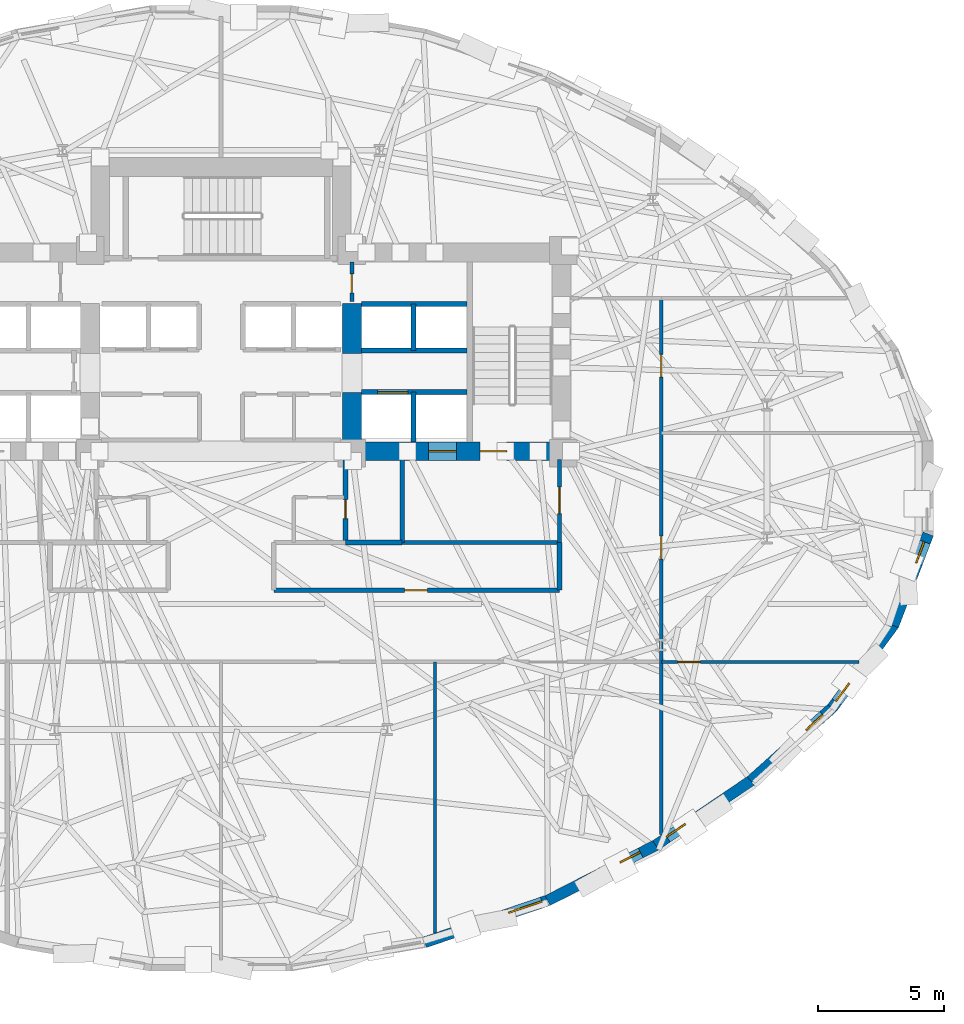
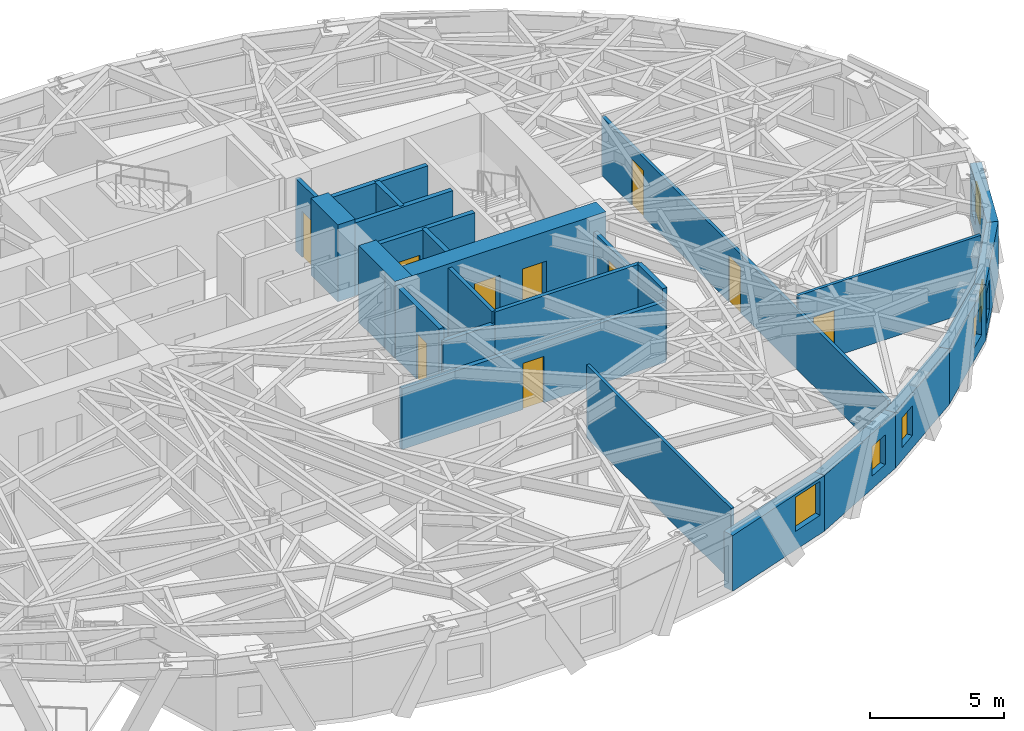
# One storey, part 11 of 17: 25 walls, 10 doors, 6 windows, 16 openings.
"""IFC4 building model written with IfcOpenShell, lengths in metres."""

from ifc_helpers import new_model, si_unit, direction, frame, frame_2d, origin, place, context, subcontext, project, spatial, rectangle, extrude, material, layer, layer_set, type_object, element, fill, save


model = new_model("IFC4")

# Units and contexts
model_context = context("Model", 3, precision=1e-05, world=origin(), true_north=direction((0.0, 1.0)))
body_context = subcontext(model_context, "Body", "Model", "MODEL_VIEW")
ifc_project = project(units=[si_unit("LENGTHUNIT", "METRE"), si_unit("AREAUNIT", "SQUARE_METRE"), si_unit("VOLUMEUNIT", "CUBIC_METRE"), si_unit("PLANEANGLEUNIT", "RADIAN"), si_unit("MASSUNIT", "GRAM", prefix="KILO")], contexts=[model_context])

# Site, building, storey
site_placement = place(None, origin())
site = spatial("IfcSite", under=ifc_project, at=site_placement, CompositionType="ELEMENT")
building_placement = place(site_placement, origin())
building = spatial("IfcBuilding", under=site, at=building_placement, Name="Keldmark Tower", CompositionType="ELEMENT")
storey_placement = place(building_placement, frame((0.0, 0.0, 96.60009765625)))
storey = spatial("IfcBuildingStorey", under=building, at=storey_placement, Name="L25", CompositionType="ELEMENT", Elevation=96.60009765625)

# Wall, openings, doors
ifc_material_1 = material(Name="Acoustic Double-Layer Gypsum Corridor Partition", Category="gypsum")
ifc_layer_1 = layer(ifc_material_1, 0.139892578125)
ifc_layer_set_1 = layer_set([ifc_layer_1], Name="Acoustic Double-Layer Gypsum Corridor Partition")
wall_type_1 = type_object("IfcWallType", Name="Acoustic Corridor Partition 140 mm", PredefinedType="PARTITIONING", material=ifc_layer_set_1)
wall_1_placement = place(storey_placement, frame((17.5, -13.7626953125, 0.0), z_axis=(0.0, 0.0, 1.0), x_axis=(0.0, 1.0, 0.0)))
wall_1 = element("IfcWall", 1, at=wall_1_placement, inside=storey, type_object=wall_type_1, Name="L25 Acoustic Corridor Partition 140 mm COR-E", PredefinedType="PARTITIONING", context=body_context, shape_type="SweptSolid", body=[
    extrude(rectangle(XDim=21.312744140625, YDim=0.139892578125, at=frame_2d((10.65625, 0.0))), origin(), (0.0, 0.0, 1.0), 2.68798828125),
])
opening_1_placement = place(wall_1_placement, frame((10.962646484375, 0.0, 0.0)))
opening_1 = element("IfcOpeningElement", 2, at=opening_1_placement, cuts=wall_1, Name="Opening D-IN090", PredefinedType="OPENING", context=body_context, shape_type="SweptSolid", body=[
    extrude(rectangle(XDim=0.89990234375, YDim=2.10009765625, at=frame_2d((0.449951171875, 1.050048828125))), frame((0.0, 0.079833984375, 0.0), z_axis=(0.0, -1.0, 0.0), x_axis=(1.0, 0.0, 0.0)), (0.0, 0.0, 1.0), 0.159912109375),
])
opening_2_placement = place(wall_1_placement, frame((18.1875, 0.0, 0.0)))
opening_2 = element("IfcOpeningElement", 3, at=opening_2_placement, cuts=wall_1, Name="Opening D-IN090", PredefinedType="OPENING", context=body_context, shape_type="SweptSolid", body=[
    extrude(rectangle(XDim=0.89990234375, YDim=2.10009765625, at=frame_2d((0.449951171875, 1.050048828125))), frame((0.0, 0.079833984375, 0.0), z_axis=(0.0, -1.0, 0.0), x_axis=(1.0, 0.0, 0.0)), (0.0, 0.0, 1.0), 0.159912109375),
])
ifc_material_2 = material(Name="Stained American White Oak Veneer", Category="wood")
door_type_1 = type_object("IfcDoorType", Name="Interior Door 900x2100", OperationType="NOTDEFINED", PredefinedType="DOOR", material=ifc_material_2)
door_1_placement = place(opening_1_placement, origin())
door_1 = element("IfcDoor", 4, at=door_1_placement, inside=storey, type_object=door_type_1, Name="L25 Interior Door 900x2100 D-ER-1-L25", OperationType="SINGLE_SWING_RIGHT", OverallHeight=2.10009765625, OverallWidth=0.89990234375, PredefinedType="DOOR", context=body_context, shape_type="SweptSolid", body=[
    extrude(rectangle(XDim=0.89990234375, YDim=2.10009765625, at=frame_2d((0.449951171875, 1.050048828125))), frame((0.0, 0.02490234375, 0.0), z_axis=(0.0, -1.0, 0.0), x_axis=(1.0, 0.0, 0.0)), (0.0, 0.0, 1.0), 0.050048828125),
])
fill(opening_1, door_1)
door_2_placement = place(opening_2_placement, origin())
door_2 = element("IfcDoor", 5, at=door_2_placement, inside=storey, type_object=door_type_1, Name="L25 Interior Door 900x2100 D-ER-2-L25", OperationType="SINGLE_SWING_LEFT", OverallHeight=2.10009765625, OverallWidth=0.89990234375, PredefinedType="DOOR", context=body_context, shape_type="SweptSolid", body=[
    extrude(rectangle(XDim=0.89990234375, YDim=2.10009765625, at=frame_2d((0.449951171875, 1.050048828125))), frame((0.0, 0.02490234375, 0.0), z_axis=(0.0, -1.0, 0.0), x_axis=(1.0, 0.0, 0.0)), (0.0, 0.0, 1.0), 0.050048828125),
])
fill(opening_2, door_2)

# Wall, opening, door
ifc_material_3 = material(Name="Heavy Acoustic Plumbing Chase Gypsum Assembly", Category="gypsum")
ifc_layer_2 = layer(ifc_material_3, 0.18994140625)
ifc_layer_set_2 = layer_set([ifc_layer_2], Name="Heavy Acoustic Plumbing Chase Gypsum Assembly")
wall_type_2 = type_object("IfcWallType", Name="Heavy Wet Wall 190 mm", PredefinedType="PLUMBINGWALL", material=ifc_layer_set_2)
wall_2_placement = place(storey_placement, frame((2.10009765625, -4.050048828125, 0.0), z_axis=(0.0, 0.0, 1.0), x_axis=(1.0, 0.0, 0.0)))
wall_2 = element("IfcWall", 6, at=wall_2_placement, inside=storey, type_object=wall_type_2, Name="L25 Heavy Wet Wall 190 mm SPK-E-S", PredefinedType="PLUMBINGWALL", context=body_context, shape_type="SweptSolid", body=[
    extrude(rectangle(XDim=11.349853515625, YDim=0.18994140625, at=frame_2d((5.6748046875, 0.0))), origin(), (0.0, 0.0, 1.0), 2.762939453125),
])
opening_3_placement = place(wall_2_placement, frame((5.199951171875, 0.0, 0.0)))
opening_3 = element("IfcOpeningElement", 7, at=opening_3_placement, cuts=wall_2, Name="Opening D-IN090", PredefinedType="OPENING", context=body_context, shape_type="SweptSolid", body=[
    extrude(rectangle(XDim=0.89990234375, YDim=2.10009765625, at=frame_2d((0.449951171875, 1.050048828125))), frame((0.0, 0.10498046875, 0.0), z_axis=(0.0, -1.0, 0.0), x_axis=(1.0, 0.0, 0.0)), (0.0, 0.0, 1.0), 0.2099609375),
])
door_3_placement = place(opening_3_placement, origin())
door_3 = element("IfcDoor", 8, at=door_3_placement, inside=storey, type_object=door_type_1, Name="L25 Interior Door 900x2100 D-SPKE1-L25", OperationType="SINGLE_SWING_RIGHT", OverallHeight=2.10009765625, OverallWidth=0.89990234375, PredefinedType="DOOR", context=body_context, shape_type="SweptSolid", body=[
    extrude(rectangle(XDim=0.89990234375, YDim=2.10009765625, at=frame_2d((0.449951171875, 1.050048828125))), frame((0.0, 0.02490234375, 0.0), z_axis=(0.0, -1.0, 0.0), x_axis=(1.0, 0.0, 0.0)), (0.0, 0.0, 1.0), 0.050048828125),
])
fill(opening_3, door_3)

# Walls
wall_3_placement = place(storey_placement, frame((13.449951171875, -4.050048828125, 0.0), z_axis=(0.0, 0.0, 1.0), x_axis=(0.0, 1.0, 0.0)))
element("IfcWall", 9, at=wall_3_placement, inside=storey, type_object=wall_type_2, Name="L25 Heavy Wet Wall 190 mm SPK-E-E", PredefinedType="PLUMBINGWALL", context=body_context, shape_type="SweptSolid", body=[
    extrude(rectangle(XDim=1.900146484375, YDim=0.18994140625, at=frame_2d((0.9501953125, 0.0))), origin(), (0.0, 0.0, 1.0), 3.309814453125),
])
ifc_material_4 = material(Name="Acoustic Gypsum Board Interior Partition", Category="gypsum")
ifc_layer_3 = layer(ifc_material_4, 0.1298828125)
ifc_layer_set_3 = layer_set([ifc_layer_3], Name="Acoustic Gypsum Board Interior Partition")
wall_type_3 = type_object("IfcWallType", Name="Interior Partition 130 mm", PredefinedType="PARTITIONING", material=ifc_layer_set_3)
wall_4_placement = place(storey_placement, frame((8.5, -17.666015625, 0.0), z_axis=(0.0, 0.0, 1.0), x_axis=(0.0, 1.0, 0.0)))
element("IfcWall", 10, at=wall_4_placement, inside=storey, type_object=wall_type_3, Name="L25 Interior Partition 130 mm S-DIV-3", PredefinedType="PARTITIONING", context=body_context, shape_type="SweptSolid", body=[
    extrude(rectangle(XDim=10.76611328125, YDim=0.1298828125, at=frame_2d((5.383056640625, 0.0))), origin(), (0.0, 0.0, 1.0), 3.309814453125),
])

# Wall, opening, door
wall_5_placement = place(storey_placement, frame((17.5, -6.89990234375, 0.0), z_axis=(0.0, 0.0, 1.0), x_axis=(1.0, 0.0, 0.0)))
wall_5 = element("IfcWall", 11, at=wall_5_placement, inside=storey, type_object=wall_type_3, Name="L25 Interior Partition 130 mm E-CAP-S", PredefinedType="PARTITIONING", context=body_context, shape_type="SweptSolid", body=[
    extrude(rectangle(XDim=7.85986328125, YDim=0.1298828125, at=frame_2d((3.929931640625, 0.0))), origin(), (0.0, 0.0, 1.0), 3.309814453125),
])
opening_4_placement = place(wall_5_placement, frame((0.64990234375, 0.0, 0.0)))
opening_4 = element("IfcOpeningElement", 12, at=opening_4_placement, cuts=wall_5, Name="Opening D-IN090", PredefinedType="OPENING", context=body_context, shape_type="SweptSolid", body=[
    extrude(rectangle(XDim=0.89990234375, YDim=2.10009765625, at=frame_2d((0.449951171875, 1.050048828125))), frame((0.0, 0.074951171875, 0.0), z_axis=(0.0, -1.0, 0.0), x_axis=(1.0, 0.0, 0.0)), (0.0, 0.0, 1.0), 0.14990234375),
])
door_4_placement = place(opening_4_placement, origin())
door_4 = element("IfcDoor", 13, at=door_4_placement, inside=storey, type_object=door_type_1, Name="L25 Interior Door 900x2100 D-ERSE-L25", OperationType="SINGLE_SWING_RIGHT", OverallHeight=2.10009765625, OverallWidth=0.89990234375, PredefinedType="DOOR", context=body_context, shape_type="SweptSolid", body=[
    extrude(rectangle(XDim=0.89990234375, YDim=2.10009765625, at=frame_2d((0.449951171875, 1.050048828125))), frame((0.0, 0.02490234375, 0.0), z_axis=(0.0, -1.0, 0.0), x_axis=(1.0, 0.0, 0.0)), (0.0, 0.0, 1.0), 0.050048828125),
])
fill(opening_4, door_4)

# Wall, openings, doors
ifc_material_5 = material(Name="Concrete C70/85", Category="concrete")
ifc_layer_4 = layer(ifc_material_5, 0.75)
ifc_layer_set_4 = layer_set([ifc_layer_4], Name="Concrete C70/85")
wall_type_4 = type_object("IfcWallType", Name="Low-Mid Core Shear Wall 750 mm", PredefinedType="SHEAR", material=ifc_layer_set_4)
wall_6_placement = place(storey_placement, frame((13.89990234375, 1.47509765625, 0.0), z_axis=(0.0, 0.0, 1.0), x_axis=(-1.0, 0.0, 0.0)))
wall_6 = element("IfcWall", 14, at=wall_6_placement, inside=storey, type_object=wall_type_4, Name="L25 East Core South Shear Wall", PredefinedType="SHEAR", context=body_context, shape_type="SweptSolid", body=[
    extrude(rectangle(XDim=9.074951171875, YDim=0.75, at=frame_2d((4.53759765625, 0.0))), origin(), (0.0, 0.0, 1.0), 3.5),
])
opening_5_placement = place(wall_6_placement, frame((2.550048828125, 0.0, 0.0)))
opening_5 = element("IfcOpeningElement", 15, at=opening_5_placement, cuts=wall_6, Name="Opening D-ST105", PredefinedType="OPENING", context=body_context, shape_type="SweptSolid", body=[
    extrude(rectangle(XDim=1.050048828125, YDim=2.14990234375, at=frame_2d((0.52490234375, 1.074951171875))), frame((0.0, 0.385009765625, 0.0), z_axis=(0.0, -1.0, 0.0), x_axis=(1.0, 0.0, 0.0)), (0.0, 0.0, 1.0), 0.77001953125),
])
opening_6_placement = place(wall_6_placement, frame((4.550048828125, 0.0, 0.0)))
opening_6 = element("IfcOpeningElement", 16, at=opening_6_placement, cuts=wall_6, Name="Opening LD-110", PredefinedType="OPENING", context=body_context, shape_type="SweptSolid", body=[
    extrude(rectangle(XDim=1.10009765625, YDim=2.199951171875, at=frame_2d((0.550048828125, 1.10009765625))), frame((0.0, 0.385009765625, 0.0), z_axis=(0.0, -1.0, 0.0), x_axis=(1.0, 0.0, 0.0)), (0.0, 0.0, 1.0), 0.77001953125),
])
ifc_material_6 = material(Name="Brushed Bronze Hoistway Sliding Leaf", Category="metal")
door_type_2 = type_object("IfcDoorType", Name="Lift Landing Sliding Door 1100x2200", OperationType="SLIDING_TO_LEFT", PredefinedType="DOOR", material=ifc_material_6)
door_5_placement = place(opening_6_placement, origin())
door_5 = element("IfcDoor", 17, at=door_5_placement, inside=storey, type_object=door_type_2, Name="L25 Lift Landing Sliding Door 1100x2200 LD-EL-FS2-L25", OperationType="SLIDING_TO_LEFT", OverallHeight=2.199951171875, OverallWidth=1.10009765625, PredefinedType="DOOR", context=body_context, shape_type="SweptSolid", body=[
    extrude(rectangle(XDim=1.10009765625, YDim=2.199951171875, at=frame_2d((0.550048828125, 1.10009765625))), frame((0.0, 0.02490234375, 0.0), z_axis=(0.0, -1.0, 0.0), x_axis=(1.0, 0.0, 0.0)), (0.0, 0.0, 1.0), 0.050048828125),
])
fill(opening_6, door_5)
ifc_material_7 = material(Name="Hollow Metal Fire-Rated Door Assembly", Category="metal")
door_type_3 = type_object("IfcDoorType", Name="Stair Fire Door 1050x2150", OperationType="NOTDEFINED", PredefinedType="DOOR", material=ifc_material_7)
door_6_placement = place(opening_5_placement, origin())
door_6 = element("IfcDoor", 18, at=door_6_placement, inside=storey, type_object=door_type_3, Name="L25 Stair Fire Door 1050x2150 D-ST2-L25", OperationType="SINGLE_SWING_LEFT", OverallHeight=2.14990234375, OverallWidth=1.050048828125, PredefinedType="DOOR", context=body_context, shape_type="SweptSolid", body=[
    extrude(rectangle(XDim=1.050048828125, YDim=2.14990234375, at=frame_2d((0.52490234375, 1.074951171875))), frame((0.0, 0.02490234375, 0.0), z_axis=(0.0, -1.0, 0.0), x_axis=(1.0, 0.0, 0.0)), (0.0, 0.0, 1.0), 0.050048828125),
])
fill(opening_5, door_6)

# Walls
wall_7_placement = place(storey_placement, frame((5.199951171875, 1.10009765625, 0.0), z_axis=(0.0, 0.0, 1.0), x_axis=(0.0, 1.0, 0.0)))
element("IfcWall", 19, at=wall_7_placement, inside=storey, type_object=wall_type_4, Name="L25 East Core Inner Shear Pier South", PredefinedType="SHEAR", context=body_context, shape_type="SweptSolid", body=[
    extrude(rectangle(XDim=2.699951171875, YDim=0.75, at=frame_2d((1.35009765625, 0.0))), origin(), (0.0, 0.0, 1.0), 3.5),
])
wall_8_placement = place(storey_placement, frame((5.199951171875, 5.35009765625, 0.0), z_axis=(0.0, 0.0, 1.0), x_axis=(0.0, 1.0, 0.0)))
element("IfcWall", 20, at=wall_8_placement, inside=storey, type_object=wall_type_4, Name="L25 East Core Inner Shear Pier North", PredefinedType="SHEAR", context=body_context, shape_type="SweptSolid", body=[
    extrude(rectangle(XDim=2.0, YDim=0.75, at=frame_2d((1.0, 0.0))), origin(), (0.0, 0.0, 1.0), 3.5),
])
ifc_material_8 = material(Name="Type X Fire-Rated Gypsum Partition Assembly", Category="gypsum")
ifc_layer_5 = layer(ifc_material_8, 0.1650390625)
ifc_layer_set_5 = layer_set([ifc_layer_5], Name="Type X Fire-Rated Gypsum Partition Assembly")
wall_type_5 = type_object("IfcWallType", Name="Rated Partition 165 mm", PredefinedType="PARTITIONING", material=ifc_layer_set_5)
wall_9_placement = place(storey_placement, frame((7.199951171875, -2.14990234375, 0.0), z_axis=(0.0, 0.0, 1.0), x_axis=(1.0, 0.0, 0.0)))
element("IfcWall", 21, at=wall_9_placement, inside=storey, type_object=wall_type_5, Name="L25 Rated Partition 165 mm FSAE-E-S", PredefinedType="PARTITIONING", context=body_context, shape_type="SweptSolid", body=[
    extrude(rectangle(XDim=6.25, YDim=0.1650390625, at=frame_2d((3.125, 0.0))), origin(), (0.0, 0.0, 1.0), 3.309814453125),
])
wall_10_placement = place(storey_placement, frame((7.199951171875, -2.14990234375, 0.0), z_axis=(0.0, 0.0, 1.0), x_axis=(0.0, 1.0, 0.0)))
element("IfcWall", 22, at=wall_10_placement, inside=storey, type_object=wall_type_5, Name="L25 Rated Partition 165 mm FSAE-E-W", PredefinedType="PARTITIONING", context=body_context, shape_type="SweptSolid", body=[
    extrude(rectangle(XDim=3.2998046875, YDim=0.1650390625, at=frame_2d((1.64990234375, 0.0))), origin(), (0.0, 0.0, 1.0), 3.309814453125),
])

# Wall, opening, door
wall_11_placement = place(storey_placement, frame((13.449951171875, -2.14990234375, 0.0), z_axis=(0.0, 0.0, 1.0), x_axis=(0.0, 1.0, 0.0)))
wall_11 = element("IfcWall", 23, at=wall_11_placement, inside=storey, type_object=wall_type_5, Name="L25 Rated Partition 165 mm FSAE-E-E", PredefinedType="PARTITIONING", context=body_context, shape_type="SweptSolid", body=[
    extrude(rectangle(XDim=3.2998046875, YDim=0.1650390625, at=frame_2d((1.64990234375, 0.0))), origin(), (0.0, 0.0, 1.0), 2.762939453125),
])
opening_7_placement = place(wall_11_placement, frame((1.14990234375, 0.0, 0.0)))
opening_7 = element("IfcOpeningElement", 24, at=opening_7_placement, cuts=wall_11, Name="Opening D-FL105", PredefinedType="OPENING", context=body_context, shape_type="SweptSolid", body=[
    extrude(rectangle(XDim=1.050048828125, YDim=2.14990234375, at=frame_2d((0.52490234375, 1.074951171875))), frame((0.0, 0.092529296875, 0.0), z_axis=(0.0, -1.0, 0.0), x_axis=(1.0, 0.0, 0.0)), (0.0, 0.0, 1.0), 0.18505859375),
])
ifc_material_9 = material(Name="Fire-Rated Mineral-Core Door and Vision Lite", Category="metal")
door_type_4 = type_object("IfcDoorType", Name="Fire Lobby Door 1050x2150", OperationType="NOTDEFINED", PredefinedType="DOOR", material=ifc_material_9)
door_7_placement = place(opening_7_placement, origin())
door_7 = element("IfcDoor", 25, at=door_7_placement, inside=storey, type_object=door_type_4, Name="L25 Fire Lobby Door 1050x2150 D-FSAEE-OUT-L25", OperationType="SINGLE_SWING_LEFT", OverallHeight=2.14990234375, OverallWidth=1.050048828125, PredefinedType="DOOR", context=body_context, shape_type="SweptSolid", body=[
    extrude(rectangle(XDim=1.050048828125, YDim=2.14990234375, at=frame_2d((0.52490234375, 1.074951171875))), frame((0.0, 0.02490234375, 0.0), z_axis=(0.0, -1.0, 0.0), x_axis=(1.0, 0.0, 0.0)), (0.0, 0.0, 1.0), 0.050048828125),
])
fill(opening_7, door_7)

wall_12_placement = place(storey_placement, frame((5.199951171875, 7.419921875, 0.0), z_axis=(0.0, 0.0, 1.0), x_axis=(0.0, 1.0, 0.0)))
wall_12 = element("IfcWall", 26, at=wall_12_placement, inside=storey, type_object=wall_type_5, Name="L25 Rated Partition 165 mm CS-NE-W", PredefinedType="PARTITIONING", context=body_context, shape_type="SweptSolid", body=[
    extrude(rectangle(XDim=1.580078125, YDim=0.1650390625, at=frame_2d((0.7900390625, 0.0))), origin(), (0.0, 0.0, 1.0), 3.309814453125),
])
opening_8_placement = place(wall_12_placement, frame((0.35009765625, 0.0, 0.0)))
opening_8 = element("IfcOpeningElement", 27, at=opening_8_placement, cuts=wall_12, Name="Opening D-RS075", PredefinedType="OPENING", context=body_context, shape_type="SweptSolid", body=[
    extrude(rectangle(XDim=0.75, YDim=2.10009765625, at=frame_2d((0.375, 1.050048828125))), frame((0.0, 0.092529296875, 0.0), z_axis=(0.0, -1.0, 0.0), x_axis=(1.0, 0.0, 0.0)), (0.0, 0.0, 1.0), 0.18505859375),
])
ifc_material_10 = material(Name="Galvanized Fire-Rated Access Leaf", Category="metal")
door_type_5 = type_object("IfcDoorType", Name="Riser Access Door 750x2100", OperationType="NOTDEFINED", PredefinedType="DOOR", material=ifc_material_10)
door_8_placement = place(opening_8_placement, origin())
door_8 = element("IfcDoor", 28, at=door_8_placement, inside=storey, type_object=door_type_5, Name="L25 Riser Access Door 750x2100 D-CSNE1-L25", OperationType="SINGLE_SWING_LEFT", OverallHeight=2.10009765625, OverallWidth=0.75, PredefinedType="DOOR", context=body_context, shape_type="SweptSolid", body=[
    extrude(rectangle(XDim=0.75, YDim=2.10009765625, at=frame_2d((0.375, 1.050048828125))), frame((0.0, 0.02490234375, 0.0), z_axis=(0.0, -1.0, 0.0), x_axis=(1.0, 0.0, 0.0)), (0.0, 0.0, 1.0), 0.050048828125),
])
fill(opening_8, door_8)

# Wall
ifc_material_11 = material(Name="Fire-Resistant Type X Gypsum Shaftliner Coreboard", Category="gypsum")
ifc_layer_6 = layer(ifc_material_11, 0.199951171875)
ifc_layer_set_6 = layer_set([ifc_layer_6], Name="Fire-Resistant Type X Gypsum Shaftliner Coreboard")
wall_type_6 = type_object("IfcWallType", Name="Shaft Wall 200 mm", PredefinedType="SOLIDWALL", material=ifc_layer_set_6)
wall_13_placement = place(storey_placement, frame((4.949951171875, -2.14990234375, 0.0), z_axis=(0.0, 0.0, 1.0), x_axis=(1.0, 0.0, 0.0)))
element("IfcWall", 29, at=wall_13_placement, inside=storey, type_object=wall_type_6, Name="L25 Shaft Wall 200 mm RIS-SE-S", PredefinedType="SOLIDWALL", context=body_context, shape_type="SweptSolid", body=[
    extrude(rectangle(XDim=2.25, YDim=0.199951171875, at=frame_2d((1.125, 0.0))), origin(), (0.0, 0.0, 1.0), 2.762939453125),
])

# Wall, opening, door
wall_14_placement = place(storey_placement, frame((4.949951171875, -2.14990234375, 0.0), z_axis=(0.0, 0.0, 1.0), x_axis=(0.0, 1.0, 0.0)))
wall_14 = element("IfcWall", 30, at=wall_14_placement, inside=storey, type_object=wall_type_6, Name="L25 Shaft Wall 200 mm RIS-SE-W", PredefinedType="SOLIDWALL", context=body_context, shape_type="SweptSolid", body=[
    extrude(rectangle(XDim=3.2998046875, YDim=0.199951171875, at=frame_2d((1.64990234375, 0.0))), origin(), (0.0, 0.0, 1.0), 3.309814453125),
])
opening_9_placement = place(wall_14_placement, frame((0.949951171875, 0.0, 0.0)))
opening_9 = element("IfcOpeningElement", 31, at=opening_9_placement, cuts=wall_14, Name="Opening D-RS075", PredefinedType="OPENING", context=body_context, shape_type="SweptSolid", body=[
    extrude(rectangle(XDim=0.75, YDim=2.10009765625, at=frame_2d((0.375, 1.050048828125))), frame((0.0, 0.10986328125, 0.0), z_axis=(0.0, -1.0, 0.0), x_axis=(1.0, 0.0, 0.0)), (0.0, 0.0, 1.0), 0.219970703125),
])
door_9_placement = place(opening_9_placement, origin())
door_9 = element("IfcDoor", 32, at=door_9_placement, inside=storey, type_object=door_type_5, Name="L25 Riser Access Door 750x2100 D-RISSE-L25", OperationType="SINGLE_SWING_LEFT", OverallHeight=2.10009765625, OverallWidth=0.75, PredefinedType="DOOR", context=body_context, shape_type="SweptSolid", body=[
    extrude(rectangle(XDim=0.75, YDim=2.10009765625, at=frame_2d((0.375, 1.050048828125))), frame((0.0, 0.02490234375, 0.0), z_axis=(0.0, -1.0, 0.0), x_axis=(1.0, 0.0, 0.0)), (0.0, 0.0, 1.0), 0.050048828125),
])
fill(opening_9, door_9)

wall_15_placement = place(storey_placement, frame((5.574951171875, 3.820068359375, 0.0), z_axis=(0.0, 0.0, 1.0), x_axis=(1.0, 0.0, 0.0)))
wall_15 = element("IfcWall", 33, at=wall_15_placement, inside=storey, type_object=wall_type_6, Name="L25 Shaft Wall 200 mm HW-E-S", PredefinedType="SOLIDWALL", context=body_context, shape_type="SweptSolid", body=[
    extrude(rectangle(XDim=4.205078125, YDim=0.199951171875, at=frame_2d((2.1025390625, 0.0))), origin(), (0.0, 0.0, 1.0), 3.309814453125),
])
opening_10_placement = place(wall_15_placement, frame((0.64990234375, 0.0, 0.0)))
opening_10 = element("IfcOpeningElement", 34, at=opening_10_placement, cuts=wall_15, Name="Opening LD-120", PredefinedType="OPENING", context=body_context, shape_type="SweptSolid", body=[
    extrude(rectangle(XDim=1.199951171875, YDim=2.199951171875, at=frame_2d((0.60009765625, 1.10009765625))), frame((0.0, 0.10986328125, 0.0), z_axis=(0.0, -1.0, 0.0), x_axis=(1.0, 0.0, 0.0)), (0.0, 0.0, 1.0), 0.219970703125),
])
ifc_material_12 = material(Name="Heavy-Duty Brushed Metal Hoistway Sliding Leaf", Category="metal")
door_type_6 = type_object("IfcDoorType", Name="Service Lift Sliding Door 1200x2200", OperationType="SLIDING_TO_RIGHT", PredefinedType="DOOR", material=ifc_material_12)
door_10_placement = place(opening_10_placement, origin())
door_10 = element("IfcDoor", 35, at=door_10_placement, inside=storey, type_object=door_type_6, Name="L25 Service Lift Sliding Door 1200x2200 LD-EL-SV1-L25", OperationType="SLIDING_TO_RIGHT", OverallHeight=2.199951171875, OverallWidth=1.199951171875, PredefinedType="DOOR", context=body_context, shape_type="SweptSolid", body=[
    extrude(rectangle(XDim=1.199951171875, YDim=2.199951171875, at=frame_2d((0.60009765625, 1.10009765625))), frame((0.0, 0.02490234375, 0.0), z_axis=(0.0, -1.0, 0.0), x_axis=(1.0, 0.0, 0.0)), (0.0, 0.0, 1.0), 0.050048828125),
])
fill(opening_10, door_10)

# Walls
wall_16_placement = place(storey_placement, frame((7.64990234375, 1.85009765625, 0.0), z_axis=(0.0, 0.0, 1.0), x_axis=(0.0, 1.0, 0.0)))
element("IfcWall", 36, at=wall_16_placement, inside=storey, type_object=wall_type_6, Name="L25 Shaft Wall 200 mm HW-E-M", PredefinedType="SOLIDWALL", context=body_context, shape_type="SweptSolid", body=[
    extrude(rectangle(XDim=1.969970703125, YDim=0.199951171875, at=frame_2d((0.98486328125, 0.0))), origin(), (0.0, 0.0, 1.0), 3.309814453125),
])
for number, where, z_axis, x_axis, name in (
    (37, (5.574951171875, 5.469970703125, 0.0), (0.0, 0.0, 1.0), (1.0, 0.0, 0.0), "L25 Shaft Wall 200 mm HW-E-N"),
    (38, (5.574951171875, 7.330078125, 0.0), (0.0, 0.0, 1.0), (1.0, 0.0, 0.0), "L25 Shaft Wall 200 mm HW-E-TOP"),
):
    element("IfcWall", number, at=place(storey_placement, frame(where, z_axis=z_axis, x_axis=x_axis)), inside=storey, type_object=wall_type_6, Name=name, PredefinedType="SOLIDWALL", context=body_context, shape_type="SweptSolid", body=[
        extrude(rectangle(XDim=4.205078125, YDim=0.199951171875, at=frame_2d((2.1025390625, 0.0))), origin(), (0.0, 0.0, 1.0), 3.309814453125),
    ])
wall_17_placement = place(storey_placement, frame((7.64990234375, 5.469970703125, 0.0), z_axis=(0.0, 0.0, 1.0), x_axis=(0.0, 1.0, 0.0)))
element("IfcWall", 39, at=wall_17_placement, inside=storey, type_object=wall_type_6, Name="L25 Shaft Wall 200 mm HW-E-NM", PredefinedType="SOLIDWALL", context=body_context, shape_type="SweptSolid", body=[
    extrude(rectangle(XDim=1.860107421875, YDim=0.199951171875, at=frame_2d((0.93017578125, 0.0))), origin(), (0.0, 0.0, 1.0), 3.309814453125),
])

# Wall, opening, window
ifc_material_13 = material(Name="Ironspot Manganese Brick and Kasota Buff Limestone Spandrel Assembly", Category="masonry")
ifc_layer_7 = layer(ifc_material_13, 0.43994140625)
ifc_layer_set_7 = layer_set([ifc_layer_7], Name="Ironspot Manganese Brick and Kasota Buff Limestone Spandrel Assembly")
wall_type_7 = type_object("IfcWallType", Name="Tower Brick Pier and Spandrel Wall 440 mm", PredefinedType="STANDARD", material=ifc_layer_set_7)
wall_18_placement = place(storey_placement, frame((13.00537109375, -16.375, 0.0), z_axis=(0.0, 0.0, 1.0), x_axis=(-0.946763558794, -0.321929749697, 0.0)))
wall_18 = element("IfcWall", 40, at=wall_18_placement, inside=storey, type_object=wall_type_7, Name="L25 Exterior Brick and Spandrel Wall 26", PredefinedType="STANDARD", context=body_context, shape_type="SweptSolid", body=[
    extrude(rectangle(XDim=5.18408203125, YDim=0.43994140625, at=frame_2d((2.592041015625, 0.0))), origin(), (0.0, 0.0, 1.0), 2.52783203125),
])
opening_11_placement = place(wall_18_placement, frame((0.249755859375, 0.0, 0.85009765625)))
opening_11 = element("IfcOpeningElement", 41, at=opening_11_placement, cuts=wall_18, Name="Opening W-08", PredefinedType="OPENING", context=body_context, shape_type="SweptSolid", body=[
    extrude(rectangle(XDim=1.39990234375, YDim=1.550048828125, at=frame_2d((0.699951171875, 0.77490234375))), frame((0.0, 0.22998046875, 0.0), z_axis=(0.0, -1.0, 0.0), x_axis=(1.0, 0.0, 0.0)), (0.0, 0.0, 1.0), 0.4599609375),
])
ifc_material_14 = material(Name="Thermally Broken Anodized Aluminum and Triple Low-E Argon Glazing", Category="aluminium")
window_type_1 = type_object("IfcWindowType", Name="Residential Corner Punched Window 1400x1550", PartitioningType="SINGLE_PANEL", PredefinedType="WINDOW", material=ifc_material_14)
window_1_placement = place(opening_11_placement, origin())
window_1 = element("IfcWindow", 42, at=window_1_placement, inside=storey, type_object=window_type_1, Name="L25 Deep-Set Window 26", OverallHeight=1.550048828125, OverallWidth=1.39990234375, PartitioningType="SINGLE_PANEL", PredefinedType="WINDOW", context=body_context, shape_type="SweptSolid", body=[
    extrude(rectangle(XDim=1.39990234375, YDim=1.550048828125, at=frame_2d((0.699951171875, 0.77490234375))), frame((0.0, -0.010009765625, 0.0), z_axis=(0.0, -1.0, 0.0), x_axis=(1.0, 0.0, 0.0)), (0.0, 0.0, 1.0), 0.06005859375),
])
fill(opening_11, window_1)

wall_19_placement = place(storey_placement, frame((17.299560546875, -14.17578125, 0.0), z_axis=(0.0, 0.0, 1.0), x_axis=(-0.890297461787, -0.455379434687, 0.0)))
wall_19 = element("IfcWall", 43, at=wall_19_placement, inside=storey, type_object=wall_type_7, Name="L25 Exterior Brick and Spandrel Wall 27", PredefinedType="STANDARD", context=body_context, shape_type="SweptSolid", body=[
    extrude(rectangle(XDim=4.856201171875, YDim=0.43994140625, at=frame_2d((2.42822265625, 0.0))), origin(), (0.0, 0.0, 1.0), 2.52783203125),
])
opening_12_placement = place(wall_19_placement, frame((0.69384765625, 0.0, 0.580078125)))
opening_12 = element("IfcOpeningElement", 44, at=opening_12_placement, cuts=wall_19, Name="Opening W-09", PredefinedType="OPENING", context=body_context, shape_type="SweptSolid", body=[
    extrude(rectangle(XDim=0.89990234375, YDim=1.35009765625, at=frame_2d((0.449951171875, 0.675048828125))), frame((0.0, 0.22998046875, 0.0), z_axis=(0.0, -1.0, 0.0), x_axis=(1.0, 0.0, 0.0)), (0.0, 0.0, 1.0), 0.4599609375),
])
ifc_material_15 = material(Name="Thermally Broken Anodized Aluminum and Triple Low-E Argon Glazing", Category="aluminium")
window_type_2 = type_object("IfcWindowType", Name="Corner Pier Deep-Set Window 900x1350", PartitioningType="SINGLE_PANEL", PredefinedType="WINDOW", material=ifc_material_15)
window_2_placement = place(opening_12_placement, origin())
window_2 = element("IfcWindow", 45, at=window_2_placement, inside=storey, type_object=window_type_2, Name="L25 Deep-Set Window 27", OverallHeight=1.35009765625, OverallWidth=0.89990234375, PartitioningType="SINGLE_PANEL", PredefinedType="WINDOW", context=body_context, shape_type="SweptSolid", body=[
    extrude(rectangle(XDim=0.89990234375, YDim=1.35009765625, at=frame_2d((0.449951171875, 0.675048828125))), frame((0.0, -0.010009765625, 0.0), z_axis=(0.0, -1.0, 0.0), x_axis=(1.0, 0.0, 0.0)), (0.0, 0.0, 1.0), 0.06005859375),
])
fill(opening_12, window_2)

wall_20_placement = place(storey_placement, frame((21.078125, -11.612548828125, 0.0), z_axis=(0.0, 0.0, 1.0), x_axis=(-0.827740300315, -0.561111392893, 0.0)))
wall_20 = element("IfcWall", 46, at=wall_20_placement, inside=storey, type_object=wall_type_7, Name="L25 Exterior Brick and Spandrel Wall 28", PredefinedType="STANDARD", context=body_context, shape_type="SweptSolid", body=[
    extrude(rectangle(XDim=4.593017578125, YDim=0.43994140625, at=frame_2d((2.29638671875, 0.0))), origin(), (0.0, 0.0, 1.0), 2.52783203125),
])
opening_13_placement = place(wall_20_placement, frame((3.143798828125, 0.0, 0.580078125)))
opening_13 = element("IfcOpeningElement", 47, at=opening_13_placement, cuts=wall_20, Name="Opening W-09", PredefinedType="OPENING", context=body_context, shape_type="SweptSolid", body=[
    extrude(rectangle(XDim=0.89990234375, YDim=1.35009765625, at=frame_2d((0.449951171875, 0.675048828125))), frame((0.0, 0.22998046875, 0.0), z_axis=(0.0, -1.0, 0.0), x_axis=(1.0, 0.0, 0.0)), (0.0, 0.0, 1.0), 0.4599609375),
])
window_3_placement = place(opening_13_placement, origin())
window_3 = element("IfcWindow", 48, at=window_3_placement, inside=storey, type_object=window_type_2, Name="L25 Deep-Set Window 28", OverallHeight=1.35009765625, OverallWidth=0.89990234375, PartitioningType="SINGLE_PANEL", PredefinedType="WINDOW", context=body_context, shape_type="SweptSolid", body=[
    extrude(rectangle(XDim=0.89990234375, YDim=1.35009765625, at=frame_2d((0.449951171875, 0.675048828125))), frame((0.0, -0.010009765625, 0.0), z_axis=(0.0, -1.0, 0.0), x_axis=(1.0, 0.0, 0.0)), (0.0, 0.0, 1.0), 0.06005859375),
])
fill(opening_13, window_3)

wall_21_placement = place(storey_placement, frame((24.31689453125, -8.7001953125, 0.0), z_axis=(0.0, 0.0, 1.0), x_axis=(-0.743897322515, -0.668293927516, 0.0)))
wall_21 = element("IfcWall", 49, at=wall_21_placement, inside=storey, type_object=wall_type_7, Name="L25 Exterior Brick and Spandrel Wall 29", PredefinedType="STANDARD", context=body_context, shape_type="SweptSolid", body=[
    extrude(rectangle(XDim=4.38525390625, YDim=0.43994140625, at=frame_2d((2.192626953125, 0.0))), origin(), (0.0, 0.0, 1.0), 2.52783203125),
])
opening_14_placement = place(wall_21_placement, frame((0.49853515625, 0.0, 0.580078125)))
opening_14 = element("IfcOpeningElement", 50, at=opening_14_placement, cuts=wall_21, Name="Opening W-09", PredefinedType="OPENING", context=body_context, shape_type="SweptSolid", body=[
    extrude(rectangle(XDim=0.89990234375, YDim=1.35009765625, at=frame_2d((0.449951171875, 0.675048828125))), frame((0.0, 0.22998046875, 0.0), z_axis=(0.0, -1.0, 0.0), x_axis=(1.0, 0.0, 0.0)), (0.0, 0.0, 1.0), 0.4599609375),
])
window_4_placement = place(opening_14_placement, origin())
window_4 = element("IfcWindow", 51, at=window_4_placement, inside=storey, type_object=window_type_2, Name="L25 Deep-Set Window 29", OverallHeight=1.35009765625, OverallWidth=0.89990234375, PartitioningType="SINGLE_PANEL", PredefinedType="WINDOW", context=body_context, shape_type="SweptSolid", body=[
    extrude(rectangle(XDim=0.89990234375, YDim=1.35009765625, at=frame_2d((0.449951171875, 0.675048828125))), frame((0.0, -0.010009765625, 0.0), z_axis=(0.0, -1.0, 0.0), x_axis=(1.0, 0.0, 0.0)), (0.0, 0.0, 1.0), 0.06005859375),
])
fill(opening_14, window_4)

wall_22_placement = place(storey_placement, frame((26.749267578125, -5.40576171875, 0.0), z_axis=(0.0, 0.0, 1.0), x_axis=(-0.594853677057, -0.803834002075, 0.0)))
wall_22 = element("IfcWall", 52, at=wall_22_placement, inside=storey, type_object=wall_type_7, Name="L25 Exterior Brick and Spandrel Wall 30", PredefinedType="STANDARD", context=body_context, shape_type="SweptSolid", body=[
    extrude(rectangle(XDim=4.13916015625, YDim=0.43994140625, at=frame_2d((2.069580078125, 0.0))), origin(), (0.0, 0.0, 1.0), 2.52783203125),
])
opening_15_placement = place(wall_22_placement, frame((2.939453125, 0.0, 0.580078125)))
opening_15 = element("IfcOpeningElement", 53, at=opening_15_placement, cuts=wall_22, Name="Opening W-09", PredefinedType="OPENING", context=body_context, shape_type="SweptSolid", body=[
    extrude(rectangle(XDim=0.89990234375, YDim=1.35009765625, at=frame_2d((0.449951171875, 0.675048828125))), frame((0.0, 0.22998046875, 0.0), z_axis=(0.0, -1.0, 0.0), x_axis=(1.0, 0.0, 0.0)), (0.0, 0.0, 1.0), 0.4599609375),
])
window_5_placement = place(opening_15_placement, origin())
window_5 = element("IfcWindow", 54, at=window_5_placement, inside=storey, type_object=window_type_2, Name="L25 Deep-Set Window 30", OverallHeight=1.35009765625, OverallWidth=0.89990234375, PartitioningType="SINGLE_PANEL", PredefinedType="WINDOW", context=body_context, shape_type="SweptSolid", body=[
    extrude(rectangle(XDim=0.89990234375, YDim=1.35009765625, at=frame_2d((0.449951171875, 0.675048828125))), frame((0.0, -0.010009765625, 0.0), z_axis=(0.0, -1.0, 0.0), x_axis=(1.0, 0.0, 0.0)), (0.0, 0.0, 1.0), 0.06005859375),
])
fill(opening_15, window_5)

wall_23_placement = place(storey_placement, frame((28.107177734375, -1.81201171875, 0.0), z_axis=(0.0, 0.0, 1.0), x_axis=(-0.355453982488, -0.93469378212, 0.0)))
wall_23 = element("IfcWall", 55, at=wall_23_placement, inside=storey, type_object=wall_type_7, Name="L25 Exterior Brick and Spandrel Wall 31", PredefinedType="STANDARD", context=body_context, shape_type="SweptSolid", body=[
    extrude(rectangle(XDim=3.9013671875, YDim=0.43994140625, at=frame_2d((1.95068359375, 0.0))), origin(), (0.0, 0.0, 1.0), 2.52783203125),
])
opening_16_placement = place(wall_23_placement, frame((0.34716796875, 0.0, 0.580078125)))
opening_16 = element("IfcOpeningElement", 56, at=opening_16_placement, cuts=wall_23, Name="Opening W-09", PredefinedType="OPENING", context=body_context, shape_type="SweptSolid", body=[
    extrude(rectangle(XDim=0.89990234375, YDim=1.35009765625, at=frame_2d((0.449951171875, 0.675048828125))), frame((0.0, 0.22998046875, 0.0), z_axis=(0.0, -1.0, 0.0), x_axis=(1.0, 0.0, 0.0)), (0.0, 0.0, 1.0), 0.4599609375),
])
window_6_placement = place(opening_16_placement, origin())
window_6 = element("IfcWindow", 57, at=window_6_placement, inside=storey, type_object=window_type_2, Name="L25 Deep-Set Window 31", OverallHeight=1.35009765625, OverallWidth=0.89990234375, PartitioningType="SINGLE_PANEL", PredefinedType="WINDOW", context=body_context, shape_type="SweptSolid", body=[
    extrude(rectangle(XDim=0.89990234375, YDim=1.35009765625, at=frame_2d((0.449951171875, 0.675048828125))), frame((0.0, -0.010009765625, 0.0), z_axis=(0.0, -1.0, 0.0), x_axis=(1.0, 0.0, 0.0)), (0.0, 0.0, 1.0), 0.06005859375),
])
fill(opening_16, window_6)

save(model, "model.ifc")
